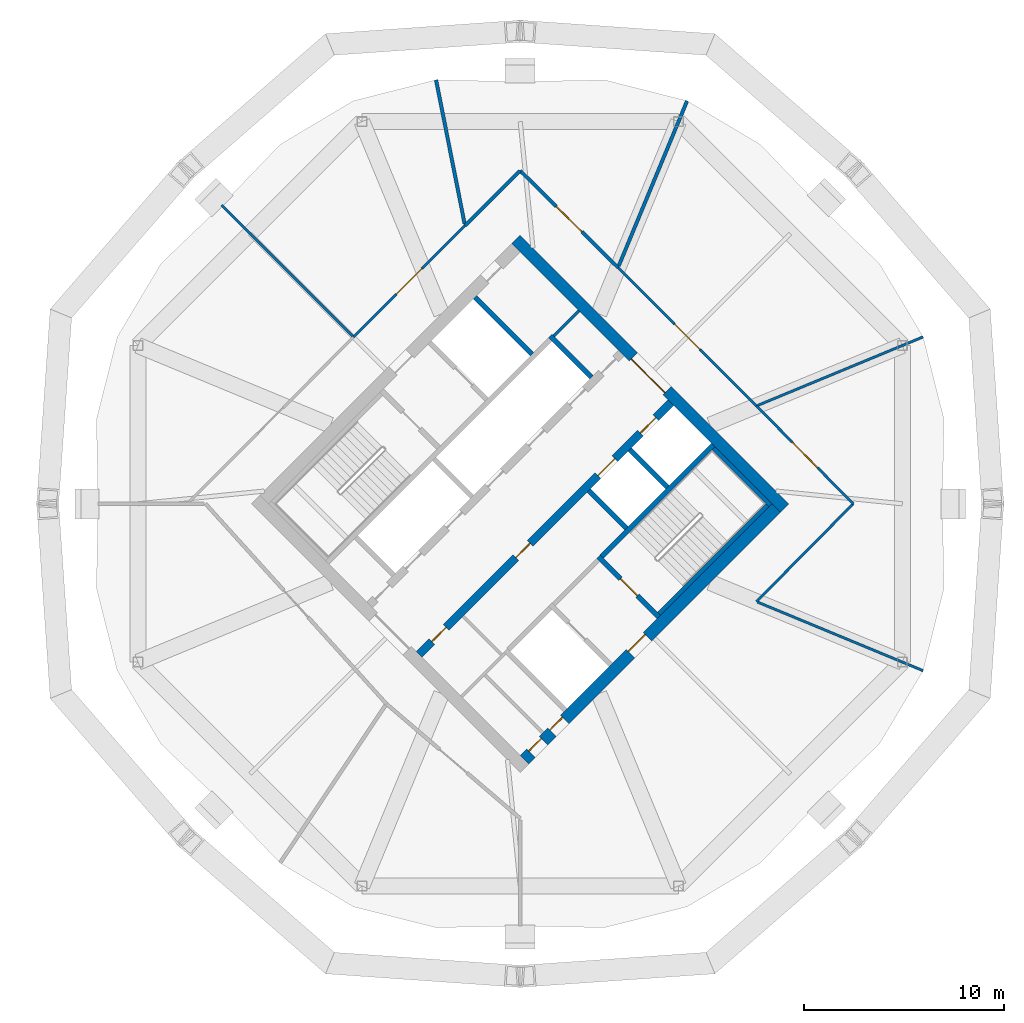
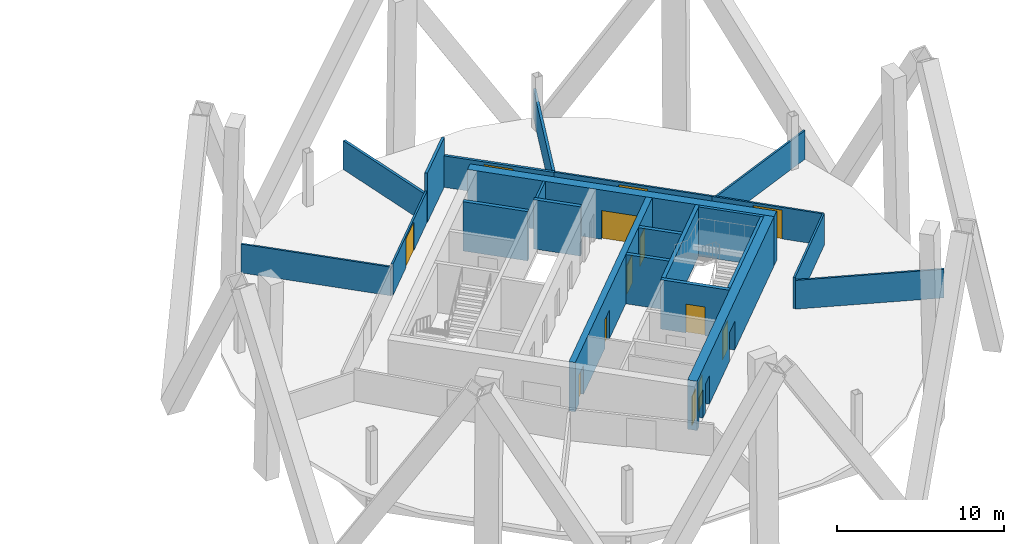
# One storey, part 7 of 10: 23 walls, 13 doors, 13 openings.
"""IFC4 building model written with IfcOpenShell, lengths in metres."""

from ifc_helpers import new_model, si_unit, direction, frame, frame_2d, origin, place, context, subcontext, project, spatial, rectangle, extrude, material, layer, layer_set, type_object, element, fill, save


model = new_model("IFC4")

# Units and contexts
model_context = context("Model", 3, precision=1e-05, world=origin(), true_north=direction((0.0, 1.0)))
body_context = subcontext(model_context, "Body", "Model", "MODEL_VIEW")
ifc_project = project(units=[si_unit("LENGTHUNIT", "METRE"), si_unit("AREAUNIT", "SQUARE_METRE"), si_unit("VOLUMEUNIT", "CUBIC_METRE"), si_unit("PLANEANGLEUNIT", "RADIAN"), si_unit("MASSUNIT", "GRAM", prefix="KILO")], contexts=[model_context])

# Site, building, storey
site_placement = place(None, origin())
site = spatial("IfcSite", under=ifc_project, at=site_placement, CompositionType="ELEMENT")
building_placement = place(site_placement, origin())
building = spatial("IfcBuilding", under=site, at=building_placement, Name="Ogive Gate Towers", CompositionType="ELEMENT")
storey_placement = place(building_placement, frame((0.0, 0.0, 204.60009765625)))
storey = spatial("IfcBuildingStorey", under=building, at=storey_placement, Name="L49", CompositionType="ELEMENT", Elevation=204.60009765625)

# Walls
ifc_material_1 = material(Name="Gypsum board acoustic partition")
ifc_layer_1 = layer(ifc_material_1, 0.175048828125)
ifc_layer_set_1 = layer_set([ifc_layer_1], Name="Acoustic partition 175")
wall_type_1 = type_object("IfcWallType", Name="Acoustic partition 175", PredefinedType="PARTITIONING", material=ifc_layer_set_1)
wall_1_placement = place(storey_placement, frame((44.35009765625, 20.1591796875, 0.0), z_axis=(0.0, 0.0, 1.0), x_axis=(-0.382666085815, -0.923886717497, 0.0)))
element("IfcWall", 1, at=wall_1_placement, inside=storey, type_object=wall_type_1, Name="Partition T2-L49-002", PredefinedType="PARTITIONING", context=body_context, shape_type="SweptSolid", body=[
    extrude(rectangle(XDim=8.941650390625, YDim=0.175048828125, at=frame_2d((4.470703125, 0.0))), origin(), (0.0, 0.0, 1.0), 2.099853515625),
])
wall_2_placement = place(storey_placement, frame((31.790283203125, 21.205810546875, 0.0), z_axis=(0.0, 0.0, 1.0), x_axis=(0.194734626215, -0.980855965651, 0.0)))
element("IfcWall", 2, at=wall_2_placement, inside=storey, type_object=wall_type_1, Name="Partition T2-L49-003", PredefinedType="PARTITIONING", context=body_context, shape_type="SweptSolid", body=[
    extrude(rectangle(XDim=7.341796875, YDim=0.175048828125, at=frame_2d((3.6708984375, 0.0))), origin(), (0.0, 0.0, 1.0), 2.099853515625),
])

# Wall, opening, door
wall_3_placement = place(storey_placement, frame((40.89501953125, 11.8173828125, 0.0), z_axis=(0.0, 0.0, 1.0), x_axis=(-0.7109435657, 0.703249064265, 0.0)))
wall_3 = element("IfcWall", 3, at=wall_3_placement, inside=storey, type_object=wall_type_1, Name="Partition T2-L49-013", PredefinedType="PARTITIONING", context=body_context, shape_type="SweptSolid", body=[
    extrude(rectangle(XDim=6.88525390625, YDim=0.175048828125, at=frame_2d((3.442626953125, 0.0))), origin(), (0.0, 0.0, 1.0), 2.2998046875),
])
opening_1_placement = place(wall_3_placement, frame((2.54296875, 0.0, 0.0)))
opening_1 = element("IfcOpeningElement", 4, at=opening_1_placement, cuts=wall_3, Name="Opening T2-L49-D04", PredefinedType="OPENING", context=body_context, shape_type="SweptSolid", body=[
    extrude(rectangle(XDim=1.800048828125, YDim=2.10009765625, at=frame_2d((0.89990234375, 1.050048828125))), frame((0.0, 0.09765625, 0.0), z_axis=(0.0, -1.0, 0.0), x_axis=(1.0, 0.0, 0.0)), (0.0, 0.0, 1.0), 0.195068359375),
])
ifc_material_2 = material(Name="Timber door", Category="wood")
door_type_1 = type_object("IfcDoorType", Name="Door pair 1800", OperationType="NOTDEFINED", PredefinedType="DOOR", material=ifc_material_2)
door_1_placement = place(opening_1_placement, origin())
door_1 = element("IfcDoor", 5, at=door_1_placement, inside=storey, type_object=door_type_1, Name="Door T2-L49-D04", OperationType="DOUBLE_DOOR_DOUBLE_SWING", OverallHeight=2.10009765625, OverallWidth=1.800048828125, PredefinedType="DOOR", context=body_context, shape_type="SweptSolid", body=[
    extrude(rectangle(XDim=1.800048828125, YDim=2.10009765625, at=frame_2d((0.89990234375, 1.050048828125))), frame((0.0, 0.02490234375, 0.0), z_axis=(0.0, -1.0, 0.0), x_axis=(1.0, 0.0, 0.0)), (0.0, 0.0, 1.0), 0.050048828125),
])
fill(opening_1, door_1)

# Wall
wall_4_placement = place(storey_placement, frame((36.0, 16.659423828125, 0.0), z_axis=(0.0, 0.0, 1.0), x_axis=(-0.710017872261, -0.704183655781, 0.0)))
element("IfcWall", 6, at=wall_4_placement, inside=storey, type_object=wall_type_1, Name="Partition T2-L49-014", PredefinedType="PARTITIONING", context=body_context, shape_type="SweptSolid", body=[
    extrude(rectangle(XDim=3.8916015625, YDim=0.175048828125, at=frame_2d((1.94580078125, 0.0))), origin(), (0.0, 0.0, 1.0), 3.599853515625),
])

# Wall, openings, doors
ifc_material_3 = material(Name="Concrete C60/75", Category="concrete")
ifc_layer_2 = layer(ifc_material_3, 0.60009765625)
ifc_layer_set_2 = layer_set([ifc_layer_2], Name="Core wall 600 mm")
wall_type_2 = type_object("IfcWallType", Name="Core wall 600 mm", PredefinedType="SHEAR", material=ifc_layer_set_2)
wall_5_placement = place(storey_placement, frame((36.212158203125, -12.798583984375, 0.0), z_axis=(0.0, 0.0, 1.0), x_axis=(0.707106781187, 0.707106781187, 0.0)))
wall_5 = element("IfcWall", 7, at=wall_5_placement, inside=storey, type_object=wall_type_2, Name="T2 L49 Core wall 600 mm", PredefinedType="SHEAR", context=body_context, shape_type="SweptSolid", body=[
    extrude(rectangle(XDim=17.7998046875, YDim=0.60009765625, at=frame_2d((8.89990234375, 0.0))), origin(), (0.0, 0.0, 1.0), 3.599853515625),
])
opening_2_placement = place(wall_5_placement, frame((7.5, 0.0, 0.0)))
opening_2 = element("IfcOpeningElement", 8, at=opening_2_placement, cuts=wall_5, Name="Opening KD-T2-L49-19", PredefinedType="OPENING", context=body_context, shape_type="SweptSolid", body=[
    extrude(rectangle(XDim=1.199951171875, YDim=2.10009765625, at=frame_2d((0.60009765625, 1.050048828125))), frame((0.0, 0.31005859375, 0.0), z_axis=(0.0, -1.0, 0.0), x_axis=(1.0, 0.0, 0.0)), (0.0, 0.0, 1.0), 0.6201171875),
])
opening_3_placement = place(wall_5_placement, frame((0.449951171875, 0.0, 0.0)))
opening_3 = element("IfcOpeningElement", 9, at=opening_3_placement, cuts=wall_5, Name="Opening KD-T2-L49-21", PredefinedType="OPENING", context=body_context, shape_type="SweptSolid", body=[
    extrude(rectangle(XDim=0.89990234375, YDim=2.10009765625, at=frame_2d((0.449951171875, 1.050048828125))), frame((0.0, 0.31005859375, 0.0), z_axis=(0.0, -1.0, 0.0), x_axis=(1.0, 0.0, 0.0)), (0.0, 0.0, 1.0), 0.6201171875),
])
opening_4_placement = place(wall_5_placement, frame((1.949951171875, 0.0, 0.0)))
opening_4 = element("IfcOpeningElement", 10, at=opening_4_placement, cuts=wall_5, Name="Opening KD-T2-L49-22", PredefinedType="OPENING", context=body_context, shape_type="SweptSolid", body=[
    extrude(rectangle(XDim=0.89990234375, YDim=2.10009765625, at=frame_2d((0.449951171875, 1.050048828125))), frame((0.0, 0.31005859375, 0.0), z_axis=(0.0, -1.0, 0.0), x_axis=(1.0, 0.0, 0.0)), (0.0, 0.0, 1.0), 0.6201171875),
])
door_type_2 = type_object("IfcDoorType", Name="Core WC door 900 x 2100", OperationType="NOTDEFINED", PredefinedType="DOOR", material=ifc_material_2)
door_2_placement = place(opening_3_placement, origin())
door_2 = element("IfcDoor", 11, at=door_2_placement, inside=storey, type_object=door_type_2, Name="T2 L49 Core door", OperationType="SINGLE_SWING_RIGHT", OverallHeight=2.10009765625, OverallWidth=0.89990234375, PredefinedType="DOOR", context=body_context, shape_type="SweptSolid", body=[
    extrude(rectangle(XDim=0.89990234375, YDim=2.10009765625, at=frame_2d((0.449951171875, 1.050048828125))), frame((0.0, 0.1748046875, 0.0), z_axis=(0.0, -1.0, 0.0), x_axis=(1.0, 0.0, 0.0)), (0.0, 0.0, 1.0), 0.050048828125),
])
fill(opening_3, door_2)
door_3_placement = place(opening_4_placement, origin())
door_3 = element("IfcDoor", 12, at=door_3_placement, inside=storey, type_object=door_type_2, Name="T2 L49 Core door", OperationType="SINGLE_SWING_LEFT", OverallHeight=2.10009765625, OverallWidth=0.89990234375, PredefinedType="DOOR", context=body_context, shape_type="SweptSolid", body=[
    extrude(rectangle(XDim=0.89990234375, YDim=2.10009765625, at=frame_2d((0.449951171875, 1.050048828125))), frame((0.0, 0.1748046875, 0.0), z_axis=(0.0, -1.0, 0.0), x_axis=(1.0, 0.0, 0.0)), (0.0, 0.0, 1.0), 0.050048828125),
])
fill(opening_4, door_3)
ifc_material_4 = material(Name="Steel fire door", Category="steel")
door_type_3 = type_object("IfcDoorType", Name="Core door FD60S 1200 x 2100", OperationType="NOTDEFINED", PredefinedType="DOOR", material=ifc_material_4)
door_4_placement = place(opening_2_placement, origin())
door_4 = element("IfcDoor", 13, at=door_4_placement, inside=storey, type_object=door_type_3, Name="T2 L49 Fire-fighting lobby door", OperationType="SINGLE_SWING_RIGHT", OverallHeight=2.10009765625, OverallWidth=1.199951171875, PredefinedType="DOOR", context=body_context, shape_type="SweptSolid", body=[
    extrude(rectangle(XDim=1.199951171875, YDim=2.10009765625, at=frame_2d((0.60009765625, 1.050048828125))), frame((0.0, 0.1748046875, 0.0), z_axis=(0.0, -1.0, 0.0), x_axis=(1.0, 0.0, 0.0)), (0.0, 0.0, 1.0), 0.050048828125),
])
fill(opening_2, door_4)

# Wall, opening, door
wall_6_placement = place(storey_placement, frame((49.222900390625, -0.212158203125, 0.0), z_axis=(0.0, 0.0, 1.0), x_axis=(-0.707106781187, 0.707106781187, 0.0)))
wall_6 = element("IfcWall", 14, at=wall_6_placement, inside=storey, type_object=wall_type_2, Name="T2 L49 Core wall 600 mm", PredefinedType="SHEAR", context=body_context, shape_type="SweptSolid", body=[
    extrude(rectangle(XDim=19.0, YDim=0.60009765625, at=frame_2d((9.5, 0.0))), origin(), (0.0, 0.0, 1.0), 3.599853515625),
])
opening_5_placement = place(wall_6_placement, frame((8.300048828125, 0.0, 0.0)))
opening_5 = element("IfcOpeningElement", 15, at=opening_5_placement, cuts=wall_6, Name="Opening KD-T2-L49-02", PredefinedType="OPENING", context=body_context, shape_type="SweptSolid", body=[
    extrude(rectangle(XDim=2.39990234375, YDim=2.10009765625, at=frame_2d((1.199951171875, 1.050048828125))), frame((0.0, 0.31005859375, 0.0), z_axis=(0.0, -1.0, 0.0), x_axis=(1.0, 0.0, 0.0)), (0.0, 0.0, 1.0), 0.6201171875),
])
door_type_4 = type_object("IfcDoorType", Name="Core double door FD60S 2400 x 2100", OperationType="DOUBLE_DOOR_SINGLE_SWING", PredefinedType="DOOR", material=ifc_material_4)
door_5_placement = place(opening_5_placement, origin())
door_5 = element("IfcDoor", 16, at=door_5_placement, inside=storey, type_object=door_type_4, Name="T2 L49 Core door double", OperationType="DOUBLE_DOOR_SINGLE_SWING", OverallHeight=2.10009765625, OverallWidth=2.39990234375, PredefinedType="DOOR", context=body_context, shape_type="SweptSolid", body=[
    extrude(rectangle(XDim=2.39990234375, YDim=2.10009765625, at=frame_2d((1.199951171875, 1.050048828125))), frame((0.0, 0.1748046875, 0.0), z_axis=(0.0, -1.0, 0.0), x_axis=(1.0, 0.0, 0.0)), (0.0, 0.0, 1.0), 0.050048828125),
])
fill(opening_5, door_5)

# Walls
ifc_material_5 = material(Name="Gypsum board partition")
ifc_layer_3 = layer(ifc_material_5, 0.125)
ifc_layer_set_3 = layer_set([ifc_layer_3], Name="Partition 125")
wall_type_3 = type_object("IfcWallType", Name="Partition 125", PredefinedType="PARTITIONING", material=ifc_layer_set_3)
wall_7_placement = place(storey_placement, frame((56.1591796875, 8.35009765625, 0.0), z_axis=(0.0, 0.0, 1.0), x_axis=(-0.923880443146, -0.382681233892, 0.0)))
element("IfcWall", 17, at=wall_7_placement, inside=storey, type_object=wall_type_3, Name="Partition T2-L49-001", PredefinedType="PARTITIONING", context=body_context, shape_type="SweptSolid", body=[
    extrude(rectangle(XDim=8.966796875, YDim=0.125, at=frame_2d((4.4833984375, 0.0))), origin(), (0.0, 0.0, 1.0), 2.099853515625),
])
wall_8_placement = place(storey_placement, frame((21.066650390625, 14.933349609375, 0.0), z_axis=(0.0, 0.0, 1.0), x_axis=(0.707106781187, -0.707106781187, 0.0)))
element("IfcWall", 18, at=wall_8_placement, inside=storey, type_object=wall_type_3, Name="Partition T2-L49-004", PredefinedType="PARTITIONING", context=body_context, shape_type="SweptSolid", body=[
    extrude(rectangle(XDim=9.266357421875, YDim=0.125, at=frame_2d((4.63330078125, 0.0))), origin(), (0.0, 0.0, 1.0), 2.099853515625),
])
wall_9_placement = place(storey_placement, frame((56.1591796875, -8.35009765625, 0.0), z_axis=(0.0, 0.0, 1.0), x_axis=(-0.923880443146, 0.382681233892, 0.0)))
element("IfcWall", 19, at=wall_9_placement, inside=storey, type_object=wall_type_3, Name="Partition T2-L49-008", PredefinedType="PARTITIONING", context=body_context, shape_type="SweptSolid", body=[
    extrude(rectangle(XDim=8.966796875, YDim=0.125, at=frame_2d((4.4833984375, 0.0))), origin(), (0.0, 0.0, 1.0), 2.099853515625),
])

# Wall, opening, door
wall_10_placement = place(storey_placement, frame((52.659423828125, 0.0, 0.0), z_axis=(0.0, 0.0, 1.0), x_axis=(-0.703249064265, 0.7109435657, 0.0)))
wall_10 = element("IfcWall", 20, at=wall_10_placement, inside=storey, type_object=wall_type_3, Name="Partition T2-L49-010", PredefinedType="PARTITIONING", context=body_context, shape_type="SweptSolid", body=[
    extrude(rectangle(XDim=6.88525390625, YDim=0.125, at=frame_2d((3.442626953125, 0.0))), origin(), (0.0, 0.0, 1.0), 2.2998046875),
])
opening_6_placement = place(wall_10_placement, frame((2.54296875, 0.0, 0.0)))
opening_6 = element("IfcOpeningElement", 21, at=opening_6_placement, cuts=wall_10, Name="Opening T2-L49-D02", PredefinedType="OPENING", context=body_context, shape_type="SweptSolid", body=[
    extrude(rectangle(XDim=1.800048828125, YDim=2.10009765625, at=frame_2d((0.89990234375, 1.050048828125))), frame((0.0, 0.072509765625, 0.0), z_axis=(0.0, -1.0, 0.0), x_axis=(1.0, 0.0, 0.0)), (0.0, 0.0, 1.0), 0.14501953125),
])
door_6_placement = place(opening_6_placement, origin())
door_6 = element("IfcDoor", 22, at=door_6_placement, inside=storey, type_object=door_type_1, Name="Door T2-L49-D02", OperationType="DOUBLE_DOOR_DOUBLE_SWING", OverallHeight=2.10009765625, OverallWidth=1.800048828125, PredefinedType="DOOR", context=body_context, shape_type="SweptSolid", body=[
    extrude(rectangle(XDim=1.800048828125, YDim=2.10009765625, at=frame_2d((0.89990234375, 1.050048828125))), frame((0.0, 0.02490234375, 0.0), z_axis=(0.0, -1.0, 0.0), x_axis=(1.0, 0.0, 0.0)), (0.0, 0.0, 1.0), 0.050048828125),
])
fill(opening_6, door_6)

# Wall
wall_11_placement = place(storey_placement, frame((47.8173828125, -4.89501953125, 0.0), z_axis=(0.0, 0.0, 1.0), x_axis=(0.703249064265, 0.7109435657, 0.0)))
element("IfcWall", 23, at=wall_11_placement, inside=storey, type_object=wall_type_3, Name="Partition T2-L49-011", PredefinedType="PARTITIONING", context=body_context, shape_type="SweptSolid", body=[
    extrude(rectangle(XDim=6.88525390625, YDim=0.125, at=frame_2d((3.442626953125, 0.0))), origin(), (0.0, 0.0, 1.0), 2.2998046875),
])

# Wall, opening, door
wall_12_placement = place(storey_placement, frame((47.8173828125, 4.89501953125, 0.0), z_axis=(0.0, 0.0, 1.0), x_axis=(-0.707106781187, 0.707106781187, 0.0)))
wall_12 = element("IfcWall", 24, at=wall_12_placement, inside=storey, type_object=wall_type_3, Name="Partition T2-L49-012", PredefinedType="PARTITIONING", context=body_context, shape_type="SweptSolid", body=[
    extrude(rectangle(XDim=9.789794921875, YDim=0.125, at=frame_2d((4.89501953125, 0.0))), origin(), (0.0, 0.0, 1.0), 2.2998046875),
])
opening_7_placement = place(wall_12_placement, frame((3.9951171875, 0.0, 0.0)))
opening_7 = element("IfcOpeningElement", 25, at=opening_7_placement, cuts=wall_12, Name="Opening T2-L49-D03", PredefinedType="OPENING", context=body_context, shape_type="SweptSolid", body=[
    extrude(rectangle(XDim=1.800048828125, YDim=2.10009765625, at=frame_2d((0.89990234375, 1.050048828125))), frame((0.0, 0.072509765625, 0.0), z_axis=(0.0, -1.0, 0.0), x_axis=(1.0, 0.0, 0.0)), (0.0, 0.0, 1.0), 0.14501953125),
])
door_7_placement = place(opening_7_placement, origin())
door_7 = element("IfcDoor", 26, at=door_7_placement, inside=storey, type_object=door_type_1, Name="Door T2-L49-D03", OperationType="DOUBLE_DOOR_DOUBLE_SWING", OverallHeight=2.10009765625, OverallWidth=1.800048828125, PredefinedType="DOOR", context=body_context, shape_type="SweptSolid", body=[
    extrude(rectangle(XDim=1.800048828125, YDim=2.10009765625, at=frame_2d((0.89990234375, 1.050048828125))), frame((0.0, 0.02490234375, 0.0), z_axis=(0.0, -1.0, 0.0), x_axis=(1.0, 0.0, 0.0)), (0.0, 0.0, 1.0), 0.050048828125),
])
fill(opening_7, door_7)

wall_13_placement = place(storey_placement, frame((33.23681640625, 13.9189453125, 0.0), z_axis=(0.0, 0.0, 1.0), x_axis=(-0.706580441441, -0.707632729439, 0.0)))
wall_13 = element("IfcWall", 27, at=wall_13_placement, inside=storey, type_object=wall_type_3, Name="Partition T2-L49-015", PredefinedType="PARTITIONING", context=body_context, shape_type="SweptSolid", body=[
    extrude(rectangle(XDim=7.888427734375, YDim=0.125, at=frame_2d((3.9443359375, 0.0))), origin(), (0.0, 0.0, 1.0), 2.2998046875),
])
opening_8_placement = place(wall_13_placement, frame((3.0439453125, 0.0, 0.0)))
opening_8 = element("IfcOpeningElement", 28, at=opening_8_placement, cuts=wall_13, Name="Opening T2-L49-D05", PredefinedType="OPENING", context=body_context, shape_type="SweptSolid", body=[
    extrude(rectangle(XDim=1.800048828125, YDim=2.10009765625, at=frame_2d((0.89990234375, 1.050048828125))), frame((0.0, 0.072509765625, 0.0), z_axis=(0.0, -1.0, 0.0), x_axis=(1.0, 0.0, 0.0)), (0.0, 0.0, 1.0), 0.14501953125),
])
door_8_placement = place(opening_8_placement, origin())
door_8 = element("IfcDoor", 29, at=door_8_placement, inside=storey, type_object=door_type_1, Name="Door T2-L49-D05", OperationType="DOUBLE_DOOR_DOUBLE_SWING", OverallHeight=2.10009765625, OverallWidth=1.800048828125, PredefinedType="DOOR", context=body_context, shape_type="SweptSolid", body=[
    extrude(rectangle(XDim=1.800048828125, YDim=2.10009765625, at=frame_2d((0.89990234375, 1.050048828125))), frame((0.0, 0.02490234375, 0.0), z_axis=(0.0, -1.0, 0.0), x_axis=(1.0, 0.0, 0.0)), (0.0, 0.0, 1.0), 0.050048828125),
])
fill(opening_8, door_8)

# Walls
ifc_layer_4 = layer(ifc_material_5, 0.14990234375)
ifc_layer_set_4 = layer_set([ifc_layer_4], Name="Room partition 150 mm")
wall_type_4 = type_object("IfcWallType", Name="Room partition 150 mm", PredefinedType="PARTITIONING", material=ifc_layer_set_4)
wall_14_placement = place(storey_placement, frame((37.679443359375, 8.39697265625, 0.0), z_axis=(0.0, 0.0, 1.0), x_axis=(0.707106781187, 0.707106781187, 0.0)))
element("IfcWall", 30, at=wall_14_placement, inside=storey, type_object=wall_type_4, Name="T2 L49 Room partition 150 mm", PredefinedType="PARTITIONING", context=body_context, shape_type="SweptSolid", body=[
    extrude(rectangle(XDim=1.77490234375, YDim=0.14990234375, at=frame_2d((0.887451171875, 0.0))), origin(), (0.0, 0.0, 1.0), 3.599853515625),
])
ifc_layer_5 = layer(ifc_material_3, 0.25)
ifc_layer_set_5 = layer_set([ifc_layer_5], Name="Shaft wall 250 mm")
wall_type_5 = type_object("IfcWallType", Name="Shaft wall 250 mm", PredefinedType="SHEAR", material=ifc_layer_set_5)
wall_15_placement = place(storey_placement, frame((40.08349609375, -2.634033203125, 0.0), z_axis=(0.0, 0.0, 1.0), x_axis=(0.707106781187, 0.707106781187, 0.0)))
element("IfcWall", 31, at=wall_15_placement, inside=storey, type_object=wall_type_5, Name="T2 L49 Shaft wall 250 mm", PredefinedType="SHEAR", context=body_context, shape_type="SweptSolid", body=[
    extrude(rectangle(XDim=7.875244140625, YDim=0.25, at=frame_2d((3.9375, 0.0))), origin(), (0.0, 0.0, 1.0), 3.599853515625),
])

# Wall, opening, door
wall_16_placement = place(storey_placement, frame((42.9296875, -5.656982421875, 0.0), z_axis=(0.0, 0.0, 1.0), x_axis=(-0.707106781187, 0.707106781187, 0.0)))
wall_16 = element("IfcWall", 32, at=wall_16_placement, inside=storey, type_object=wall_type_5, Name="T2 L49 Shaft wall 250 mm", PredefinedType="SHEAR", context=body_context, shape_type="SweptSolid", body=[
    extrude(rectangle(XDim=4.250244140625, YDim=0.25, at=frame_2d((2.125, 0.0))), origin(), (0.0, 0.0, 1.0), 3.599853515625),
])
opening_9_placement = place(wall_16_placement, frame((1.5, 0.0, 0.0)))
opening_9 = element("IfcOpeningElement", 33, at=opening_9_placement, cuts=wall_16, Name="Opening KD-T2-L49-17", PredefinedType="OPENING", context=body_context, shape_type="SweptSolid", body=[
    extrude(rectangle(XDim=1.199951171875, YDim=2.10009765625, at=frame_2d((0.60009765625, 1.050048828125))), frame((0.0, 0.135009765625, 0.0), z_axis=(0.0, -1.0, 0.0), x_axis=(1.0, 0.0, 0.0)), (0.0, 0.0, 1.0), 0.27001953125),
])
door_9_placement = place(opening_9_placement, origin())
door_9 = element("IfcDoor", 34, at=door_9_placement, inside=storey, type_object=door_type_3, Name="T2 L49 Stair door", OperationType="SINGLE_SWING_RIGHT", OverallHeight=2.10009765625, OverallWidth=1.199951171875, PredefinedType="DOOR", context=body_context, shape_type="SweptSolid", body=[
    extrude(rectangle(XDim=1.199951171875, YDim=2.10009765625, at=frame_2d((0.60009765625, 1.050048828125))), frame((0.0, 0.02490234375, 0.0), z_axis=(0.0, -1.0, 0.0), x_axis=(1.0, 0.0, 0.0)), (0.0, 0.0, 1.0), 0.050048828125),
])
fill(opening_9, door_9)

# Walls
wall_17_placement = place(storey_placement, frame((41.321044921875, -1.2197265625, 0.0), z_axis=(0.0, 0.0, 1.0), x_axis=(-0.707106781187, 0.707106781187, 0.0)))
element("IfcWall", 35, at=wall_17_placement, inside=storey, type_object=wall_type_5, Name="T2 L49 Shaft wall 250 mm", PredefinedType="SHEAR", context=body_context, shape_type="SweptSolid", body=[
    extrude(rectangle(XDim=2.675048828125, YDim=0.25, at=frame_2d((1.33740234375, 0.0))), origin(), (0.0, 0.0, 1.0), 3.599853515625),
])
wall_18_placement = place(storey_placement, frame((36.58349609375, 7.477783203125, 0.0), z_axis=(0.0, 0.0, 1.0), x_axis=(-0.707137108942, 0.70707645213, 0.0)))
element("IfcWall", 36, at=wall_18_placement, inside=storey, type_object=wall_type_5, Name="T2 L49 Shaft wall 250 mm", PredefinedType="SHEAR", context=body_context, shape_type="SweptSolid", body=[
    extrude(rectangle(XDim=4.02490234375, YDim=0.25, at=frame_2d((2.012451171875, 0.0))), origin(), (0.0, 0.0, 1.0), 3.599853515625),
])
wall_19_placement = place(storey_placement, frame((43.37158203125, 0.830810546875, 0.0), z_axis=(0.0, 0.0, 1.0), x_axis=(-0.707106781187, 0.707106781187, 0.0)))
element("IfcWall", 37, at=wall_19_placement, inside=storey, type_object=wall_type_5, Name="T2 L49 Shaft wall 250 mm", PredefinedType="SHEAR", context=body_context, shape_type="SweptSolid", body=[
    extrude(rectangle(XDim=2.675048828125, YDim=0.25, at=frame_2d((1.33740234375, 0.0))), origin(), (0.0, 0.0, 1.0), 3.599853515625),
])
wall_20_placement = place(storey_placement, frame((39.57080078125, 6.32861328125, 0.0), z_axis=(0.0, 0.0, 1.0), x_axis=(-0.707065045505, 0.707148514405, 0.0)))
element("IfcWall", 38, at=wall_20_placement, inside=storey, type_object=wall_type_5, Name="T2 L49 Shaft wall 250 mm", PredefinedType="SHEAR", context=body_context, shape_type="SweptSolid", body=[
    extrude(rectangle(XDim=2.925048828125, YDim=0.25, at=frame_2d((1.46240234375, 0.0))), origin(), (0.0, 0.0, 1.0), 3.599853515625),
])

# Wall, openings, doors
ifc_layer_6 = layer(ifc_material_3, 0.39990234375)
ifc_layer_set_6 = layer_set([ifc_layer_6], Name="Spine wall 400 mm")
wall_type_6 = type_object("IfcWallType", Name="Spine wall 400 mm", PredefinedType="SHEAR", material=ifc_layer_set_6)
wall_21_placement = place(storey_placement, frame((30.944091796875, -7.53076171875, 0.0), z_axis=(0.0, 0.0, 1.0), x_axis=(0.707106781187, 0.707106781187, 0.0)))
wall_21 = element("IfcWall", 39, at=wall_21_placement, inside=storey, type_object=wall_type_6, Name="T2 L49 Spine wall 400 mm", PredefinedType="SHEAR", context=body_context, shape_type="SweptSolid", body=[
    extrude(rectangle(XDim=17.80029296875, YDim=0.39990234375, at=frame_2d((8.900146484375, 0.0))), origin(), (0.0, 0.0, 1.0), 3.599853515625),
])
opening_10_placement = place(wall_21_placement, frame((12.64990234375, 0.0, 0.0)))
opening_10 = element("IfcOpeningElement", 40, at=opening_10_placement, cuts=wall_21, Name="Opening LD-T2-L49-10", PredefinedType="OPENING", context=body_context, shape_type="SweptSolid", body=[
    extrude(rectangle(XDim=1.199951171875, YDim=2.10009765625, at=frame_2d((0.60009765625, 1.050048828125))), frame((0.0, 0.2099609375, 0.0), z_axis=(0.0, -1.0, 0.0), x_axis=(1.0, 0.0, 0.0)), (0.0, 0.0, 1.0), 0.419921875),
])
opening_11_placement = place(wall_21_placement, frame((15.64990234375, 0.0, 0.0)))
opening_11 = element("IfcOpeningElement", 41, at=opening_11_placement, cuts=wall_21, Name="Opening LD-T2-L49-11", PredefinedType="OPENING", context=body_context, shape_type="SweptSolid", body=[
    extrude(rectangle(XDim=1.10009765625, YDim=2.10009765625, at=frame_2d((0.550048828125, 1.050048828125))), frame((0.0, 0.2099609375, 0.0), z_axis=(0.0, -1.0, 0.0), x_axis=(1.0, 0.0, 0.0)), (0.0, 0.0, 1.0), 0.419921875),
])
opening_12_placement = place(wall_21_placement, frame((0.89990234375, 0.0, 0.0)))
opening_12 = element("IfcOpeningElement", 42, at=opening_12_placement, cuts=wall_21, Name="Opening KD-T2-L49-14", PredefinedType="OPENING", context=body_context, shape_type="SweptSolid", body=[
    extrude(rectangle(XDim=1.0, YDim=2.10009765625, at=frame_2d((0.5, 1.050048828125))), frame((0.0, 0.2099609375, 0.0), z_axis=(0.0, -1.0, 0.0), x_axis=(1.0, 0.0, 0.0)), (0.0, 0.0, 1.0), 0.419921875),
])
opening_13_placement = place(wall_21_placement, frame((6.85009765625, 0.0, 0.0)))
opening_13 = element("IfcOpeningElement", 43, at=opening_13_placement, cuts=wall_21, Name="Opening KD-T2-L49-15", PredefinedType="OPENING", context=body_context, shape_type="SweptSolid", body=[
    extrude(rectangle(XDim=1.0, YDim=2.10009765625, at=frame_2d((0.5, 1.050048828125))), frame((0.0, 0.2099609375, 0.0), z_axis=(0.0, -1.0, 0.0), x_axis=(1.0, 0.0, 0.0)), (0.0, 0.0, 1.0), 0.419921875),
])
door_type_5 = type_object("IfcDoorType", Name="Core door FD60S 1000 x 2100", OperationType="NOTDEFINED", PredefinedType="DOOR", material=ifc_material_4)
door_10_placement = place(opening_12_placement, origin())
door_10 = element("IfcDoor", 44, at=door_10_placement, inside=storey, type_object=door_type_5, Name="T2 L49 Core door", OperationType="SINGLE_SWING_LEFT", OverallHeight=2.10009765625, OverallWidth=1.0, PredefinedType="DOOR", context=body_context, shape_type="SweptSolid", body=[
    extrude(rectangle(XDim=1.0, YDim=2.10009765625, at=frame_2d((0.5, 1.050048828125))), frame((0.0, 0.02490234375, 0.0), z_axis=(0.0, -1.0, 0.0), x_axis=(1.0, 0.0, 0.0)), (0.0, 0.0, 1.0), 0.050048828125),
])
fill(opening_12, door_10)
door_11_placement = place(opening_13_placement, origin())
door_11 = element("IfcDoor", 45, at=door_11_placement, inside=storey, type_object=door_type_5, Name="T2 L49 Core door", OperationType="SINGLE_SWING_RIGHT", OverallHeight=2.10009765625, OverallWidth=1.0, PredefinedType="DOOR", context=body_context, shape_type="SweptSolid", body=[
    extrude(rectangle(XDim=1.0, YDim=2.10009765625, at=frame_2d((0.5, 1.050048828125))), frame((0.0, 0.02490234375, 0.0), z_axis=(0.0, -1.0, 0.0), x_axis=(1.0, 0.0, 0.0)), (0.0, 0.0, 1.0), 0.050048828125),
])
fill(opening_13, door_11)
ifc_material_6 = material(Name="Stainless steel landing door", Category="steel")
door_type_6 = type_object("IfcDoorType", Name="Landing door 1100 x 2100", OperationType="SLIDING_TO_LEFT", PredefinedType="DOOR", material=ifc_material_6)
door_12_placement = place(opening_11_placement, origin())
door_12 = element("IfcDoor", 46, at=door_12_placement, inside=storey, type_object=door_type_6, Name="T2 L49 Lift landing door B6", OperationType="SLIDING_TO_LEFT", OverallHeight=2.10009765625, OverallWidth=1.10009765625, PredefinedType="DOOR", context=body_context, shape_type="SweptSolid", body=[
    extrude(rectangle(XDim=1.10009765625, YDim=2.10009765625, at=frame_2d((0.550048828125, 1.050048828125))), frame((0.0, 0.02490234375, 0.0), z_axis=(0.0, -1.0, 0.0), x_axis=(1.0, 0.0, 0.0)), (0.0, 0.0, 1.0), 0.050048828125),
])
fill(opening_11, door_12)
door_type_7 = type_object("IfcDoorType", Name="Landing door 1200 x 2100", OperationType="SLIDING_TO_LEFT", PredefinedType="DOOR", material=ifc_material_6)
door_13_placement = place(opening_10_placement, origin())
door_13 = element("IfcDoor", 47, at=door_13_placement, inside=storey, type_object=door_type_7, Name="T2 L49 Lift landing door SVC", OperationType="SLIDING_TO_LEFT", OverallHeight=2.10009765625, OverallWidth=1.199951171875, PredefinedType="DOOR", context=body_context, shape_type="SweptSolid", body=[
    extrude(rectangle(XDim=1.199951171875, YDim=2.10009765625, at=frame_2d((0.60009765625, 1.050048828125))), frame((0.0, 0.02490234375, 0.0), z_axis=(0.0, -1.0, 0.0), x_axis=(1.0, 0.0, 0.0)), (0.0, 0.0, 1.0), 0.050048828125),
])
fill(opening_10, door_13)

# Walls
ifc_layer_7 = layer(ifc_material_3, 0.199951171875)
ifc_layer_set_7 = layer_set([ifc_layer_7], Name="Stair wall 200 mm")
wall_type_7 = type_object("IfcWallType", Name="Stair wall 200 mm", PredefinedType="SHEAR", material=ifc_layer_set_7)
wall_22_placement = place(storey_placement, frame((42.947265625, -5.497802734375, 0.0), z_axis=(0.0, 0.0, 1.0), x_axis=(0.707122685701, 0.707090876314, 0.0)))
element("IfcWall", 48, at=wall_22_placement, inside=storey, type_object=wall_type_7, Name="T2 L49 Stair wall 200 mm", PredefinedType="SHEAR", context=body_context, shape_type="SweptSolid", body=[
    extrude(rectangle(XDim=7.675048828125, YDim=0.199951171875, at=frame_2d((3.83740234375, 0.0))), origin(), (0.0, 0.0, 1.0), 3.599853515625),
])
wall_23_placement = place(storey_placement, frame((48.515869140625, -0.07080078125, 0.0), z_axis=(0.0, 0.0, 1.0), x_axis=(-0.707106781187, 0.707106781187, 0.0)))
element("IfcWall", 49, at=wall_23_placement, inside=storey, type_object=wall_type_7, Name="T2 L49 Stair wall 200 mm", PredefinedType="SHEAR", context=body_context, shape_type="SweptSolid", body=[
    extrude(rectangle(XDim=4.025146484375, YDim=0.199951171875, at=frame_2d((2.0126953125, 0.0))), origin(), (0.0, 0.0, 1.0), 3.599853515625),
])

save(model, "model.ifc")
